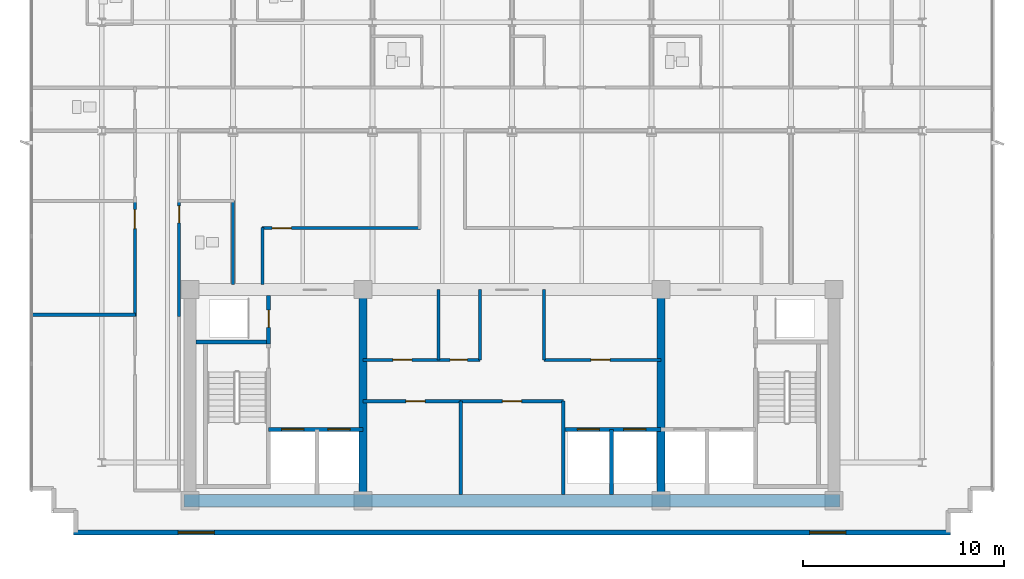
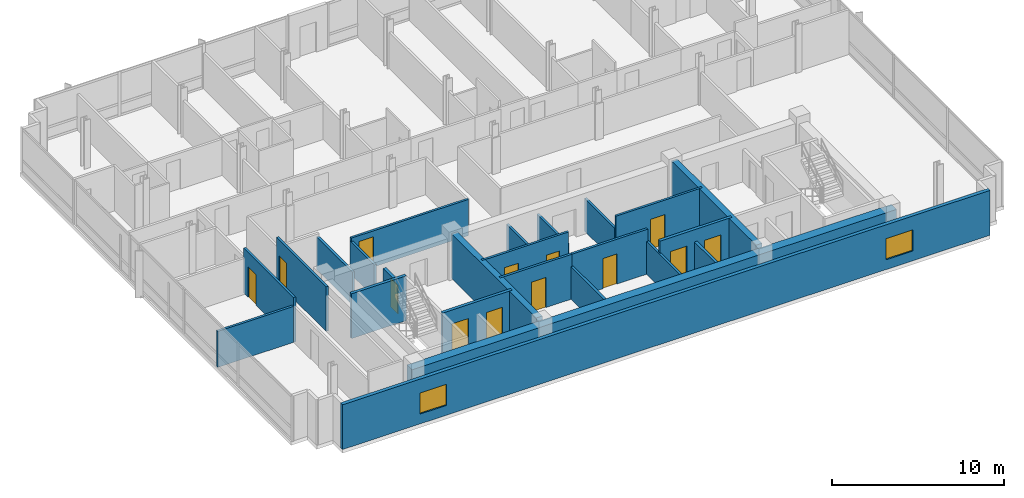
# One storey, part 8 of 14: 24 walls, 13 doors, 2 windows, 15 openings.
"""IFC4 building model written with IfcOpenShell, lengths in metres."""

from ifc_helpers import new_model, si_unit, direction, frame, frame_2d, origin, place, context, subcontext, project, spatial, rectangle, extrude, material, layer, layer_set, type_object, element, fill, save


model = new_model("IFC4")

# Units and contexts
model_context = context("Model", 3, precision=1e-05, world=origin(), true_north=direction((0.0, 1.0)))
body_context = subcontext(model_context, "Body", "Model", "MODEL_VIEW")
ifc_project = project(units=[si_unit("LENGTHUNIT", "METRE"), si_unit("AREAUNIT", "SQUARE_METRE"), si_unit("VOLUMEUNIT", "CUBIC_METRE"), si_unit("PLANEANGLEUNIT", "RADIAN"), si_unit("MASSUNIT", "GRAM", prefix="KILO")], contexts=[model_context])

# Site, building, storey
site_placement = place(None, origin())
site = spatial("IfcSite", under=ifc_project, at=site_placement, CompositionType="ELEMENT")
building_placement = place(site_placement, origin())
building = spatial("IfcBuilding", under=site, at=building_placement, Name="Solmavex Isthmus Hotel", CompositionType="ELEMENT")
storey_placement = place(building_placement, frame((0.0, 0.0, 255.75)))
storey = spatial("IfcBuildingStorey", under=building, at=storey_placement, Name="L69", CompositionType="ELEMENT", Elevation=255.75)

# Wall, openings, windows
ifc_material_1 = material(Name="Precast Concrete C40/50", Category="concrete")
ifc_layer_1 = layer(ifc_material_1, 0.25)
ifc_layer_set_1 = layer_set([ifc_layer_1], Name="Precast Concrete C40/50")
wall_type_1 = type_object("IfcWallType", Name="EW-TWR-250", PredefinedType="STANDARD", material=ifc_layer_set_1)
wall_1_placement = place(storey_placement, frame((-21.800048828125, -14.580078125, 0.0), z_axis=(0.0, 0.0, 1.0), x_axis=(1.0, 0.0, 0.0)))
wall_1 = element("IfcWall", 1, at=wall_1_placement, inside=storey, type_object=wall_type_1, Name="Tower Rear South Facade Wall L69", PredefinedType="STANDARD", context=body_context, shape_type="SweptSolid", body=[
    extrude(rectangle(XDim=43.60009765625, YDim=0.239990234375, at=frame_2d((21.800048828125, 0.0))), origin(), (0.0, 0.0, 1.0), 3.18994140625),
])
opening_1_placement = place(wall_1_placement, frame((5.2041015625, 0.0, 0.699951171875)))
opening_1 = element("IfcOpeningElement", 2, at=opening_1_placement, cuts=wall_1, Name="Opening WN-02", PredefinedType="OPENING", context=body_context, shape_type="SweptSolid", body=[
    extrude(rectangle(XDim=1.800048828125, YDim=1.5, at=frame_2d((0.89990234375, 0.75))), frame((0.0, 0.1298828125, 0.0), z_axis=(0.0, -1.0, 0.0), x_axis=(1.0, 0.0, 0.0)), (0.0, 0.0, 1.0), 0.260009765625),
])
opening_2_placement = place(wall_1_placement, frame((36.595947265625, 0.0, 0.699951171875)))
opening_2 = element("IfcOpeningElement", 3, at=opening_2_placement, cuts=wall_1, Name="Opening WN-02", PredefinedType="OPENING", context=body_context, shape_type="SweptSolid", body=[
    extrude(rectangle(XDim=1.800048828125, YDim=1.5, at=frame_2d((0.89990234375, 0.75))), frame((0.0, 0.1298828125, 0.0), z_axis=(0.0, -1.0, 0.0), x_axis=(1.0, 0.0, 0.0)), (0.0, 0.0, 1.0), 0.260009765625),
])
ifc_material_2 = material(Name="Clear low-E laminated glass", Category="glass")
window_type = type_object("IfcWindowType", Name="WIN-TWR-1800", PartitioningType="SINGLE_PANEL", PredefinedType="WINDOW", material=ifc_material_2)
window_1_placement = place(opening_1_placement, origin())
window_1 = element("IfcWindow", 4, at=window_1_placement, inside=storey, type_object=window_type, Name="South Facade Vision Window L69-S1", OverallHeight=1.5, OverallWidth=1.800048828125, PartitioningType="SINGLE_PANEL", PredefinedType="WINDOW", context=body_context, shape_type="SweptSolid", body=[
    extrude(rectangle(XDim=1.800048828125, YDim=1.5, at=frame_2d((0.89990234375, 0.75))), frame((0.0, 0.030029296875, 0.0), z_axis=(0.0, -1.0, 0.0), x_axis=(1.0, 0.0, 0.0)), (0.0, 0.0, 1.0), 0.06005859375),
])
fill(opening_1, window_1)
window_2_placement = place(opening_2_placement, origin())
window_2 = element("IfcWindow", 5, at=window_2_placement, inside=storey, type_object=window_type, Name="South Facade Vision Window L69-S2", OverallHeight=1.5, OverallWidth=1.800048828125, PartitioningType="SINGLE_PANEL", PredefinedType="WINDOW", context=body_context, shape_type="SweptSolid", body=[
    extrude(rectangle(XDim=1.800048828125, YDim=1.5, at=frame_2d((0.89990234375, 0.75))), frame((0.0, 0.030029296875, 0.0), z_axis=(0.0, -1.0, 0.0), x_axis=(1.0, 0.0, 0.0)), (0.0, 0.0, 1.0), 0.06005859375),
])
fill(opening_2, window_2)

# Wall, opening, door
ifc_material_3 = material(Name="Gypsum plasterboard lining", Category="gypsum")
ifc_layer_2 = layer(ifc_material_3, 0.159912109375)
ifc_layer_set_2 = layer_set([ifc_layer_2], Name="Gypsum plasterboard lining")
wall_type_2 = type_object("IfcWallType", Name="IW-COMP-160", PredefinedType="PARTITIONING", material=ifc_layer_set_2)
wall_2_placement = place(storey_placement, frame((-7.39990234375, -8.050048828125, 0.0), z_axis=(0.0, 0.0, 1.0), x_axis=(1.0, 0.0, 0.0)))
wall_2 = element("IfcWall", 6, at=wall_2_placement, inside=storey, type_object=wall_type_2, Name="Interior Partition Wall W-L69-REC-PLL-N", PredefinedType="PARTITIONING", context=body_context, shape_type="SweptSolid", body=[
    extrude(rectangle(XDim=4.849853515625, YDim=0.159912109375, at=frame_2d((2.4248046875, 0.0))), origin(), (0.0, 0.0, 1.0), 3.18994140625),
])
opening_3_placement = place(wall_2_placement, frame((2.125, 0.0, 0.0)))
opening_3 = element("IfcOpeningElement", 7, at=opening_3_placement, cuts=wall_2, Name="Opening ID-C095", PredefinedType="OPENING", context=body_context, shape_type="SweptSolid", body=[
    extrude(rectangle(XDim=0.949951171875, YDim=2.14990234375, at=frame_2d((0.47509765625, 1.074951171875))), frame((0.0, 0.08984375, 0.0), z_axis=(0.0, -1.0, 0.0), x_axis=(1.0, 0.0, 0.0)), (0.0, 0.0, 1.0), 0.179931640625),
])
ifc_material_4 = material(Name="Hardwood timber", Category="wood")
door_type_1 = type_object("IfcDoorType", Name="IDR-FD60-0950", OperationType="NOTDEFINED", PredefinedType="DOOR", material=ifc_material_4)
door_1_placement = place(opening_3_placement, origin())
door_1 = element("IfcDoor", 8, at=door_1_placement, inside=storey, type_object=door_type_1, Name="Linen Reserve Door L69", OperationType="SINGLE_SWING_LEFT", OverallHeight=2.14990234375, OverallWidth=0.949951171875, PredefinedType="DOOR", context=body_context, shape_type="SweptSolid", body=[
    extrude(rectangle(XDim=0.949951171875, YDim=2.14990234375, at=frame_2d((0.47509765625, 1.074951171875))), frame((0.0, 0.02490234375, 0.0), z_axis=(0.0, -1.0, 0.0), x_axis=(1.0, 0.0, 0.0)), (0.0, 0.0, 1.0), 0.050048828125),
])
fill(opening_3, door_1)

# Wall
wall_3_placement = place(storey_placement, frame((-2.550048828125, -12.699951171875, 0.0), z_axis=(0.0, 0.0, 1.0), x_axis=(0.0, 1.0, 0.0)))
element("IfcWall", 9, at=wall_3_placement, inside=storey, type_object=wall_type_2, Name="Interior Partition Wall W-L69-REC-PLL-E", PredefinedType="PARTITIONING", context=body_context, shape_type="SweptSolid", body=[
    extrude(rectangle(XDim=4.64990234375, YDim=0.159912109375, at=frame_2d((2.324951171875, 0.0))), origin(), (0.0, 0.0, 1.0), 2.324951171875),
])

# Wall, opening, door
wall_4_placement = place(storey_placement, frame((-2.550048828125, -8.050048828125, 0.0), z_axis=(0.0, 0.0, 1.0), x_axis=(1.0, 0.0, 0.0)))
wall_4 = element("IfcWall", 10, at=wall_4_placement, inside=storey, type_object=wall_type_2, Name="Interior Partition Wall W-L69-REC-PLM-N", PredefinedType="PARTITIONING", context=body_context, shape_type="SweptSolid", body=[
    extrude(rectangle(XDim=5.10009765625, YDim=0.159912109375, at=frame_2d((2.550048828125, 0.0))), origin(), (0.0, 0.0, 1.0), 3.18994140625),
])
opening_4_placement = place(wall_4_placement, frame((2.074951171875, 0.0, 0.0)))
opening_4 = element("IfcOpeningElement", 11, at=opening_4_placement, cuts=wall_4, Name="Opening ID-C095", PredefinedType="OPENING", context=body_context, shape_type="SweptSolid", body=[
    extrude(rectangle(XDim=0.949951171875, YDim=2.14990234375, at=frame_2d((0.47509765625, 1.074951171875))), frame((0.0, 0.08984375, 0.0), z_axis=(0.0, -1.0, 0.0), x_axis=(1.0, 0.0, 0.0)), (0.0, 0.0, 1.0), 0.179931640625),
])
door_2_placement = place(opening_4_placement, origin())
door_2 = element("IfcDoor", 12, at=door_2_placement, inside=storey, type_object=door_type_1, Name="Butler Store Door L69", OperationType="SINGLE_SWING_RIGHT", OverallHeight=2.14990234375, OverallWidth=0.949951171875, PredefinedType="DOOR", context=body_context, shape_type="SweptSolid", body=[
    extrude(rectangle(XDim=0.949951171875, YDim=2.14990234375, at=frame_2d((0.47509765625, 1.074951171875))), frame((0.0, 0.02490234375, 0.0), z_axis=(0.0, -1.0, 0.0), x_axis=(1.0, 0.0, 0.0)), (0.0, 0.0, 1.0), 0.050048828125),
])
fill(opening_4, door_2)

# Walls
wall_5_placement = place(storey_placement, frame((2.550048828125, -12.699951171875, 0.0), z_axis=(0.0, 0.0, 1.0), x_axis=(0.0, 1.0, 0.0)))
element("IfcWall", 13, at=wall_5_placement, inside=storey, type_object=wall_type_2, Name="Interior Partition Wall W-L69-REC-PLM-E", PredefinedType="PARTITIONING", context=body_context, shape_type="SweptSolid", body=[
    extrude(rectangle(XDim=4.64990234375, YDim=0.159912109375, at=frame_2d((2.324951171875, 0.0))), origin(), (0.0, 0.0, 1.0), 2.324951171875),
])
wall_6_placement = place(storey_placement, frame((-13.8720703125, 1.93994140625, 0.0), z_axis=(0.0, 0.0, 1.0), x_axis=(0.0, -1.0, 0.0)))
element("IfcWall", 14, at=wall_6_placement, inside=storey, type_object=wall_type_2, Name="Interior Partition Wall W-L69-P090", PredefinedType="PARTITIONING", context=body_context, shape_type="SweptSolid", body=[
    extrude(rectangle(XDim=4.179931640625, YDim=0.159912109375, at=frame_2d((2.08984375, 0.0))), origin(), (0.0, 0.0, 1.0), 2.324951171875),
])
wall_7_placement = place(storey_placement, frame((-18.7099609375, -3.75, 0.0), z_axis=(0.0, 0.0, 1.0), x_axis=(-1.0, 0.0, 0.0)))
element("IfcWall", 15, at=wall_7_placement, inside=storey, type_object=wall_type_2, Name="Interior Partition Wall W-L69-P094", PredefinedType="PARTITIONING", context=body_context, shape_type="SweptSolid", body=[
    extrude(rectangle(XDim=5.2099609375, YDim=0.159912109375, at=frame_2d((2.60498046875, 0.0))), origin(), (0.0, 0.0, 1.0), 2.5576171875),
])

# Wall, openings, doors
ifc_layer_3 = layer(ifc_material_3, 0.14990234375)
ifc_layer_set_3 = layer_set([ifc_layer_3], Name="Gypsum plasterboard lining")
wall_type_3 = type_object("IfcWallType", Name="IW-CORR-150", PredefinedType="PARTITIONING", material=ifc_layer_set_3)
wall_8_placement = place(storey_placement, frame((-7.39990234375, -6.0, 0.0), z_axis=(0.0, 0.0, 1.0), x_axis=(1.0, 0.0, 0.0)))
wall_8 = element("IfcWall", 16, at=wall_8_placement, inside=storey, type_object=wall_type_3, Name="Interior Partition Wall W-L69-BOH-WS", PredefinedType="PARTITIONING", context=body_context, shape_type="SweptSolid", body=[
    extrude(rectangle(XDim=5.7998046875, YDim=0.14990234375, at=frame_2d((2.89990234375, 0.0))), origin(), (0.0, 0.0, 1.0), 3.18994140625),
])
opening_5_placement = place(wall_8_placement, frame((1.47509765625, 0.0, 0.0)))
opening_5 = element("IfcOpeningElement", 17, at=opening_5_placement, cuts=wall_8, Name="Opening ID-C095", PredefinedType="OPENING", context=body_context, shape_type="SweptSolid", body=[
    extrude(rectangle(XDim=0.949951171875, YDim=2.14990234375, at=frame_2d((0.47509765625, 1.074951171875))), frame((0.0, 0.0849609375, 0.0), z_axis=(0.0, -1.0, 0.0), x_axis=(1.0, 0.0, 0.0)), (0.0, 0.0, 1.0), 0.169921875),
])
opening_6_placement = place(wall_8_placement, frame((4.324951171875, 0.0, 0.0)))
opening_6 = element("IfcOpeningElement", 18, at=opening_6_placement, cuts=wall_8, Name="Opening ID-R085", PredefinedType="OPENING", context=body_context, shape_type="SweptSolid", body=[
    extrude(rectangle(XDim=0.85009765625, YDim=2.050048828125, at=frame_2d((0.425048828125, 1.02490234375))), frame((0.0, 0.0849609375, 0.0), z_axis=(0.0, -1.0, 0.0), x_axis=(1.0, 0.0, 0.0)), (0.0, 0.0, 1.0), 0.169921875),
])
ifc_material_5 = material(Name="Steel ASTM A500 Grade C", Category="steel")
door_type_2 = type_object("IfcDoorType", Name="IDR-FD60-0850", OperationType="NOTDEFINED", PredefinedType="DOOR", material=ifc_material_5)
door_3_placement = place(opening_6_placement, frame((0.85009765625, 0.0, 0.0), z_axis=(0.0, 0.0, 1.0), x_axis=(-1.0, 0.0, 0.0)))
door_3 = element("IfcDoor", 19, at=door_3_placement, inside=storey, type_object=door_type_2, Name="Cleaner Closet Door L69", OperationType="SINGLE_SWING_RIGHT", OverallHeight=2.050048828125, OverallWidth=0.85009765625, PredefinedType="DOOR", context=body_context, shape_type="SweptSolid", body=[
    extrude(rectangle(XDim=0.85009765625, YDim=2.050048828125, at=frame_2d((0.425048828125, 1.02490234375))), frame((0.0, 0.02490234375, 0.0), z_axis=(0.0, -1.0, 0.0), x_axis=(1.0, 0.0, 0.0)), (0.0, 0.0, 1.0), 0.050048828125),
])
fill(opening_6, door_3)
door_4_placement = place(opening_5_placement, frame((0.949951171875, 0.0, 0.0), z_axis=(0.0, 0.0, 1.0), x_axis=(-1.0, 0.0, 0.0)))
door_4 = element("IfcDoor", 20, at=door_4_placement, inside=storey, type_object=door_type_1, Name="Housekeeping Store Door L69", OperationType="SINGLE_SWING_LEFT", OverallHeight=2.14990234375, OverallWidth=0.949951171875, PredefinedType="DOOR", context=body_context, shape_type="SweptSolid", body=[
    extrude(rectangle(XDim=0.949951171875, YDim=2.14990234375, at=frame_2d((0.47509765625, 1.074951171875))), frame((0.0, 0.02490234375, 0.0), z_axis=(0.0, -1.0, 0.0), x_axis=(1.0, 0.0, 0.0)), (0.0, 0.0, 1.0), 0.050048828125),
])
fill(opening_5, door_4)

# Wall
wall_9_placement = place(storey_placement, frame((-1.60009765625, -6.0, 0.0), z_axis=(0.0, 0.0, 1.0), x_axis=(0.0, 1.0, 0.0)))
element("IfcWall", 21, at=wall_9_placement, inside=storey, type_object=wall_type_3, Name="Interior Partition Wall W-L69-BOH-WE", PredefinedType="PARTITIONING", context=body_context, shape_type="SweptSolid", body=[
    extrude(rectangle(XDim=3.5, YDim=0.14990234375, at=frame_2d((1.75, 0.0))), origin(), (0.0, 0.0, 1.0), 2.324951171875),
])

# Wall, opening, door
wall_10_placement = place(storey_placement, frame((1.60009765625, -6.0, 0.0), z_axis=(0.0, 0.0, 1.0), x_axis=(1.0, 0.0, 0.0)))
wall_10 = element("IfcWall", 22, at=wall_10_placement, inside=storey, type_object=wall_type_3, Name="Interior Partition Wall W-L69-BOH-ES", PredefinedType="PARTITIONING", context=body_context, shape_type="SweptSolid", body=[
    extrude(rectangle(XDim=5.7998046875, YDim=0.14990234375, at=frame_2d((2.89990234375, 0.0))), origin(), (0.0, 0.0, 1.0), 3.18994140625),
])
opening_7_placement = place(wall_10_placement, frame((2.324951171875, 0.0, 0.0)))
opening_7 = element("IfcOpeningElement", 23, at=opening_7_placement, cuts=wall_10, Name="Opening ID-C095", PredefinedType="OPENING", context=body_context, shape_type="SweptSolid", body=[
    extrude(rectangle(XDim=0.949951171875, YDim=2.14990234375, at=frame_2d((0.47509765625, 1.074951171875))), frame((0.0, 0.0849609375, 0.0), z_axis=(0.0, -1.0, 0.0), x_axis=(1.0, 0.0, 0.0)), (0.0, 0.0, 1.0), 0.169921875),
])
door_5_placement = place(opening_7_placement, frame((0.949951171875, 0.0, 0.0), z_axis=(0.0, 0.0, 1.0), x_axis=(-1.0, 0.0, 0.0)))
door_5 = element("IfcDoor", 24, at=door_5_placement, inside=storey, type_object=door_type_1, Name="Butler Pantry Door L69", OperationType="SINGLE_SWING_RIGHT", OverallHeight=2.14990234375, OverallWidth=0.949951171875, PredefinedType="DOOR", context=body_context, shape_type="SweptSolid", body=[
    extrude(rectangle(XDim=0.949951171875, YDim=2.14990234375, at=frame_2d((0.47509765625, 1.074951171875))), frame((0.0, 0.02490234375, 0.0), z_axis=(0.0, -1.0, 0.0), x_axis=(1.0, 0.0, 0.0)), (0.0, 0.0, 1.0), 0.050048828125),
])
fill(opening_7, door_5)

# Wall
wall_11_placement = place(storey_placement, frame((1.60009765625, -6.0, 0.0), z_axis=(0.0, 0.0, 1.0), x_axis=(0.0, 1.0, 0.0)))
element("IfcWall", 25, at=wall_11_placement, inside=storey, type_object=wall_type_3, Name="Interior Partition Wall W-L69-BOH-EW", PredefinedType="PARTITIONING", context=body_context, shape_type="SweptSolid", body=[
    extrude(rectangle(XDim=3.5, YDim=0.14990234375, at=frame_2d((1.75, 0.0))), origin(), (0.0, 0.0, 1.0), 2.324951171875),
])

# Wall, opening, door
wall_12_placement = place(storey_placement, frame((-16.550048828125, 1.98193359375, 0.0), z_axis=(0.0, 0.0, 1.0), x_axis=(0.0, -1.0, 0.0)))
wall_12 = element("IfcWall", 26, at=wall_12_placement, inside=storey, type_object=wall_type_3, Name="Interior Partition Wall W-L69-P012", PredefinedType="PARTITIONING", context=body_context, shape_type="SweptSolid", body=[
    extrude(rectangle(XDim=5.81396484375, YDim=0.14990234375, at=frame_2d((2.906982421875, 0.0))), origin(), (0.0, 0.0, 1.0), 3.18994140625),
])
opening_8_placement = place(wall_12_placement, frame((0.314453125, 0.0, 0.0)))
opening_8 = element("IfcOpeningElement", 27, at=opening_8_placement, cuts=wall_12, Name="Opening ID-R085", PredefinedType="OPENING", context=body_context, shape_type="SweptSolid", body=[
    extrude(rectangle(XDim=0.85009765625, YDim=2.050048828125, at=frame_2d((0.425048828125, 1.02490234375))), frame((0.0, 0.0849609375, 0.0), z_axis=(0.0, -1.0, 0.0), x_axis=(1.0, 0.0, 0.0)), (0.0, 0.0, 1.0), 0.169921875),
])
door_6_placement = place(opening_8_placement, frame((0.85009765625, 0.0, 0.0), z_axis=(0.0, 0.0, 1.0), x_axis=(-1.0, 0.0, 0.0)))
door_6 = element("IfcDoor", 28, at=door_6_placement, inside=storey, type_object=door_type_2, Name="Public Restroom WC Door L69-21", OperationType="SINGLE_SWING_LEFT", OverallHeight=2.050048828125, OverallWidth=0.85009765625, PredefinedType="DOOR", context=body_context, shape_type="SweptSolid", body=[
    extrude(rectangle(XDim=0.85009765625, YDim=2.050048828125, at=frame_2d((0.425048828125, 1.02490234375))), frame((0.0, 0.02490234375, 0.0), z_axis=(0.0, -1.0, 0.0), x_axis=(1.0, 0.0, 0.0)), (0.0, 0.0, 1.0), 0.050048828125),
])
fill(opening_8, door_6)

wall_13_placement = place(storey_placement, frame((-18.75, -3.83203125, 0.0), z_axis=(0.0, 0.0, 1.0), x_axis=(0.0, 1.0, 0.0)))
wall_13 = element("IfcWall", 29, at=wall_13_placement, inside=storey, type_object=wall_type_3, Name="Interior Partition Wall W-L69-P015", PredefinedType="PARTITIONING", context=body_context, shape_type="SweptSolid", body=[
    extrude(rectangle(XDim=5.81396484375, YDim=0.14990234375, at=frame_2d((2.906982421875, 0.0))), origin(), (0.0, 0.0, 1.0), 3.18994140625),
])
opening_9_placement = place(wall_13_placement, frame((4.358642578125, 0.0, 0.0)))
opening_9 = element("IfcOpeningElement", 30, at=opening_9_placement, cuts=wall_13, Name="Opening ID-C095", PredefinedType="OPENING", context=body_context, shape_type="SweptSolid", body=[
    extrude(rectangle(XDim=0.949951171875, YDim=2.14990234375, at=frame_2d((0.47509765625, 1.074951171875))), frame((0.0, 0.0849609375, 0.0), z_axis=(0.0, -1.0, 0.0), x_axis=(1.0, 0.0, 0.0)), (0.0, 0.0, 1.0), 0.169921875),
])
door_7_placement = place(opening_9_placement, origin())
door_7 = element("IfcDoor", 31, at=door_7_placement, inside=storey, type_object=door_type_1, Name="Finishing Kitchen Door L69-24", OperationType="SINGLE_SWING_RIGHT", OverallHeight=2.14990234375, OverallWidth=0.949951171875, PredefinedType="DOOR", context=body_context, shape_type="SweptSolid", body=[
    extrude(rectangle(XDim=0.949951171875, YDim=2.14990234375, at=frame_2d((0.47509765625, 1.074951171875))), frame((0.0, 0.02490234375, 0.0), z_axis=(0.0, -1.0, 0.0), x_axis=(1.0, 0.0, 0.0)), (0.0, 0.0, 1.0), 0.050048828125),
])
fill(opening_9, door_7)

# Wall
wall_14_placement = place(storey_placement, frame((-12.39990234375, -2.239990234375, 0.0), z_axis=(0.0, 0.0, 1.0), x_axis=(0.0, 1.0, 0.0)))
element("IfcWall", 32, at=wall_14_placement, inside=storey, type_object=wall_type_3, Name="Interior Partition Wall W-L69-P016", PredefinedType="PARTITIONING", context=body_context, shape_type="SweptSolid", body=[
    extrude(rectangle(XDim=2.830078125, YDim=0.14990234375, at=frame_2d((1.4150390625, 0.0))), origin(), (0.0, 0.0, 1.0), 2.324951171875),
])

# Wall, opening, door
wall_15_placement = place(storey_placement, frame((-12.43994140625, 0.550048828125, 0.0), z_axis=(0.0, 0.0, 1.0), x_axis=(1.0, 0.0, 0.0)))
wall_15 = element("IfcWall", 33, at=wall_15_placement, inside=storey, type_object=wall_type_3, Name="Interior Partition Wall W-L69-P017", PredefinedType="PARTITIONING", context=body_context, shape_type="SweptSolid", body=[
    extrude(rectangle(XDim=7.891845703125, YDim=0.14990234375, at=frame_2d((3.94580078125, 0.0))), origin(), (0.0, 0.0, 1.0), 2.572265625),
])
opening_10_placement = place(wall_15_placement, frame((0.51806640625, 0.0, 0.0)))
opening_10 = element("IfcOpeningElement", 34, at=opening_10_placement, cuts=wall_15, Name="Opening ID-C095", PredefinedType="OPENING", context=body_context, shape_type="SweptSolid", body=[
    extrude(rectangle(XDim=0.949951171875, YDim=2.14990234375, at=frame_2d((0.47509765625, 1.074951171875))), frame((0.0, 0.0849609375, 0.0), z_axis=(0.0, -1.0, 0.0), x_axis=(1.0, 0.0, 0.0)), (0.0, 0.0, 1.0), 0.169921875),
])
door_8_placement = place(opening_10_placement, origin())
door_8 = element("IfcDoor", 35, at=door_8_placement, inside=storey, type_object=door_type_1, Name="Reading Library Door L69-25", OperationType="SINGLE_SWING_LEFT", OverallHeight=2.14990234375, OverallWidth=0.949951171875, PredefinedType="DOOR", context=body_context, shape_type="SweptSolid", body=[
    extrude(rectangle(XDim=0.949951171875, YDim=2.14990234375, at=frame_2d((0.47509765625, 1.074951171875))), frame((0.0, 0.02490234375, 0.0), z_axis=(0.0, -1.0, 0.0), x_axis=(1.0, 0.0, 0.0)), (0.0, 0.0, 1.0), 0.050048828125),
])
fill(opening_10, door_8)

# Walls
ifc_layer_4 = layer(ifc_material_3, 0.1201171875)
ifc_layer_set_4 = layer_set([ifc_layer_4], Name="Gypsum plasterboard lining")
wall_type_4 = type_object("IfcWallType", Name="IW-PART-120", PredefinedType="PARTITIONING", material=ifc_layer_set_4)
wall_16_placement = place(storey_placement, frame((-3.64990234375, -6.0, 0.0), z_axis=(0.0, 0.0, 1.0), x_axis=(0.0, 1.0, 0.0)))
element("IfcWall", 36, at=wall_16_placement, inside=storey, type_object=wall_type_4, Name="Interior Partition Wall W-L69-BOH-WM1", PredefinedType="PARTITIONING", context=body_context, shape_type="SweptSolid", body=[
    extrude(rectangle(XDim=3.5, YDim=0.14990234375, at=frame_2d((1.75, 0.0))), origin(), (0.0, 0.0, 1.0), 2.324951171875),
])
ifc_material_6 = material(Name="Concrete C40/50", Category="concrete")
ifc_layer_5 = layer(ifc_material_6, 0.179931640625)
ifc_layer_set_5 = layer_set([ifc_layer_5], Name="Concrete C40/50")
wall_type_5 = type_object("IfcWallType", Name="IW-SHAFT-180", PredefinedType="PARTITIONING", material=ifc_layer_set_5)
wall_17_placement = place(storey_placement, frame((4.949951171875, -12.699951171875, 0.0), z_axis=(0.0, 0.0, 1.0), x_axis=(0.0, 1.0, 0.0)))
element("IfcWall", 37, at=wall_17_placement, inside=storey, type_object=wall_type_5, Name="Interior Partition Wall W-L69-SH-PLH-M", PredefinedType="PARTITIONING", context=body_context, shape_type="SweptSolid", body=[
    extrude(rectangle(XDim=3.25, YDim=0.179931640625, at=frame_2d((1.625, 0.0))), origin(), (0.0, 0.0, 1.0), 2.324951171875),
])

# Wall, opening, door
ifc_layer_6 = layer(ifc_material_6, 0.199951171875)
ifc_layer_set_6 = layer_set([ifc_layer_6], Name="Concrete C40/50")
wall_type_6 = type_object("IfcWallType", Name="IW-SHAFT-200", PredefinedType="PARTITIONING", material=ifc_layer_set_6)
wall_18_placement = place(storey_placement, frame((-12.10009765625, -5.199951171875, 0.0), z_axis=(0.0, 0.0, 1.0), x_axis=(0.0, 1.0, 0.0)))
wall_18 = element("IfcWall", 38, at=wall_18_placement, inside=storey, type_object=wall_type_6, Name="Interior Partition Wall W-L69-RSW-E", PredefinedType="PARTITIONING", context=body_context, shape_type="SweptSolid", body=[
    extrude(rectangle(XDim=2.39990234375, YDim=0.199951171875, at=frame_2d((1.199951171875, 0.0))), origin(), (0.0, 0.0, 1.0), 2.324951171875),
])
opening_11_placement = place(wall_18_placement, frame((0.824951171875, 0.0, 0.0)))
opening_11 = element("IfcOpeningElement", 39, at=opening_11_placement, cuts=wall_18, Name="Opening ID-R085", PredefinedType="OPENING", context=body_context, shape_type="SweptSolid", body=[
    extrude(rectangle(XDim=0.85009765625, YDim=2.050048828125, at=frame_2d((0.425048828125, 1.02490234375))), frame((0.0, 0.10986328125, 0.0), z_axis=(0.0, -1.0, 0.0), x_axis=(1.0, 0.0, 0.0)), (0.0, 0.0, 1.0), 0.219970703125),
])
door_9_placement = place(opening_11_placement, origin())
door_9 = element("IfcDoor", 40, at=door_9_placement, inside=storey, type_object=door_type_2, Name="Electrical Riser Door L69", OperationType="SINGLE_SWING_RIGHT", OverallHeight=2.050048828125, OverallWidth=0.85009765625, PredefinedType="DOOR", context=body_context, shape_type="SweptSolid", body=[
    extrude(rectangle(XDim=0.85009765625, YDim=2.050048828125, at=frame_2d((0.425048828125, 1.02490234375))), frame((0.0, 0.02490234375, 0.0), z_axis=(0.0, -1.0, 0.0), x_axis=(1.0, 0.0, 0.0)), (0.0, 0.0, 1.0), 0.050048828125),
])
fill(opening_11, door_9)

# Wall, openings, doors
wall_19_placement = place(storey_placement, frame((-12.10009765625, -9.449951171875, 0.0), z_axis=(0.0, 0.0, 1.0), x_axis=(1.0, 0.0, 0.0)))
wall_19 = element("IfcWall", 41, at=wall_19_placement, inside=storey, type_object=wall_type_6, Name="Interior Partition Wall W-L69-FFLW-S", PredefinedType="PARTITIONING", context=body_context, shape_type="SweptSolid", body=[
    extrude(rectangle(XDim=4.7001953125, YDim=0.199951171875, at=frame_2d((2.35009765625, 0.0))), origin(), (0.0, 0.0, 1.0), 3.18994140625),
])
opening_12_placement = place(wall_19_placement, frame((0.64990234375, 0.0, 0.0)))
opening_12 = element("IfcOpeningElement", 42, at=opening_12_placement, cuts=wall_19, Name="Opening LD-FF", PredefinedType="OPENING", context=body_context, shape_type="SweptSolid", body=[
    extrude(rectangle(XDim=1.10009765625, YDim=2.199951171875, at=frame_2d((0.550048828125, 1.10009765625))), frame((0.0, 0.10986328125, 0.0), z_axis=(0.0, -1.0, 0.0), x_axis=(1.0, 0.0, 0.0)), (0.0, 0.0, 1.0), 0.219970703125),
])
opening_13_placement = place(wall_19_placement, frame((2.949951171875, 0.0, 0.0)))
opening_13 = element("IfcOpeningElement", 43, at=opening_13_placement, cuts=wall_19, Name="Opening LD-SV", PredefinedType="OPENING", context=body_context, shape_type="SweptSolid", body=[
    extrude(rectangle(XDim=1.10009765625, YDim=2.199951171875, at=frame_2d((0.550048828125, 1.10009765625))), frame((0.0, 0.10986328125, 0.0), z_axis=(0.0, -1.0, 0.0), x_axis=(1.0, 0.0, 0.0)), (0.0, 0.0, 1.0), 0.219970703125),
])
ifc_material_7 = material(Name="Stainless steel 316", Category="steel")
door_type_3 = type_object("IfcDoorType", Name="LDR-FF-1100", OperationType="NOTDEFINED", PredefinedType="DOOR", material=ifc_material_7)
door_10_placement = place(opening_12_placement, origin())
door_10 = element("IfcDoor", 44, at=door_10_placement, inside=storey, type_object=door_type_3, Name="Lift Landing Door FFL-1 L69", OperationType="SLIDING_TO_LEFT", OverallHeight=2.199951171875, OverallWidth=1.10009765625, PredefinedType="DOOR", context=body_context, shape_type="SweptSolid", body=[
    extrude(rectangle(XDim=1.10009765625, YDim=2.199951171875, at=frame_2d((0.550048828125, 1.10009765625))), frame((0.0, 0.02490234375, 0.0), z_axis=(0.0, -1.0, 0.0), x_axis=(1.0, 0.0, 0.0)), (0.0, 0.0, 1.0), 0.050048828125),
])
fill(opening_12, door_10)
door_type_4 = type_object("IfcDoorType", Name="LDR-SV-1100", OperationType="NOTDEFINED", PredefinedType="DOOR", material=ifc_material_7)
door_11_placement = place(opening_13_placement, origin())
door_11 = element("IfcDoor", 45, at=door_11_placement, inside=storey, type_object=door_type_4, Name="Lift Landing Door SVL-1 L69", OperationType="SLIDING_TO_RIGHT", OverallHeight=2.199951171875, OverallWidth=1.10009765625, PredefinedType="DOOR", context=body_context, shape_type="SweptSolid", body=[
    extrude(rectangle(XDim=1.10009765625, YDim=2.199951171875, at=frame_2d((0.550048828125, 1.10009765625))), frame((0.0, 0.02490234375, 0.0), z_axis=(0.0, -1.0, 0.0), x_axis=(1.0, 0.0, 0.0)), (0.0, 0.0, 1.0), 0.050048828125),
])
fill(opening_13, door_11)

wall_20_placement = place(storey_placement, frame((2.550048828125, -9.449951171875, 0.0), z_axis=(0.0, 0.0, 1.0), x_axis=(1.0, 0.0, 0.0)))
wall_20 = element("IfcWall", 46, at=wall_20_placement, inside=storey, type_object=wall_type_6, Name="Interior Partition Wall W-L69-SH-PLH", PredefinedType="PARTITIONING", context=body_context, shape_type="SweptSolid", body=[
    extrude(rectangle(XDim=4.849853515625, YDim=0.199951171875, at=frame_2d((2.4248046875, 0.0))), origin(), (0.0, 0.0, 1.0), 3.18994140625),
])
opening_14_placement = place(wall_20_placement, frame((0.699951171875, 0.0, 0.0)))
opening_14 = element("IfcOpeningElement", 47, at=opening_14_placement, cuts=wall_20, Name="Opening LD-PL", PredefinedType="OPENING", context=body_context, shape_type="SweptSolid", body=[
    extrude(rectangle(XDim=1.10009765625, YDim=2.199951171875, at=frame_2d((0.550048828125, 1.10009765625))), frame((0.0, 0.10986328125, 0.0), z_axis=(0.0, -1.0, 0.0), x_axis=(1.0, 0.0, 0.0)), (0.0, 0.0, 1.0), 0.219970703125),
])
opening_15_placement = place(wall_20_placement, frame((3.0, 0.0, 0.0)))
opening_15 = element("IfcOpeningElement", 48, at=opening_15_placement, cuts=wall_20, Name="Opening LD-PL", PredefinedType="OPENING", context=body_context, shape_type="SweptSolid", body=[
    extrude(rectangle(XDim=1.10009765625, YDim=2.199951171875, at=frame_2d((0.550048828125, 1.10009765625))), frame((0.0, 0.10986328125, 0.0), z_axis=(0.0, -1.0, 0.0), x_axis=(1.0, 0.0, 0.0)), (0.0, 0.0, 1.0), 0.219970703125),
])
door_type_5 = type_object("IfcDoorType", Name="LDR-PL-1100", OperationType="NOTDEFINED", PredefinedType="DOOR", material=ifc_material_7)
door_12_placement = place(opening_14_placement, origin())
door_12 = element("IfcDoor", 49, at=door_12_placement, inside=storey, type_object=door_type_5, Name="Lift Landing Door PLH1 L69", OperationType="SLIDING_TO_LEFT", OverallHeight=2.199951171875, OverallWidth=1.10009765625, PredefinedType="DOOR", context=body_context, shape_type="SweptSolid", body=[
    extrude(rectangle(XDim=1.10009765625, YDim=2.199951171875, at=frame_2d((0.550048828125, 1.10009765625))), frame((0.0, 0.02490234375, 0.0), z_axis=(0.0, -1.0, 0.0), x_axis=(1.0, 0.0, 0.0)), (0.0, 0.0, 1.0), 0.050048828125),
])
fill(opening_14, door_12)
door_13_placement = place(opening_15_placement, origin())
door_13 = element("IfcDoor", 50, at=door_13_placement, inside=storey, type_object=door_type_5, Name="Lift Landing Door PLH2 L69", OperationType="SLIDING_TO_LEFT", OverallHeight=2.199951171875, OverallWidth=1.10009765625, PredefinedType="DOOR", context=body_context, shape_type="SweptSolid", body=[
    extrude(rectangle(XDim=1.10009765625, YDim=2.199951171875, at=frame_2d((0.550048828125, 1.10009765625))), frame((0.0, 0.02490234375, 0.0), z_axis=(0.0, -1.0, 0.0), x_axis=(1.0, 0.0, 0.0)), (0.0, 0.0, 1.0), 0.050048828125),
])
fill(opening_15, door_13)

# Walls
ifc_material_8 = material(Name="Concrete C50/60", Category="concrete")
ifc_layer_7 = layer(ifc_material_8, 0.39990234375)
ifc_layer_set_7 = layer_set([ifc_layer_7], Name="Concrete C50/60")
wall_type_7 = type_object("IfcWallType", Name="WALL-CW-400H", PredefinedType="SHEAR", material=ifc_layer_set_7)
for number, where, z_axis, x_axis, name in (
    (51, (-7.39990234375, -12.699951171875, 0.0), (0.0, 0.0, 1.0), (0.0, 1.0, 0.0), "Core Cross Shear Wall C1 L69"),
    (52, (7.39990234375, -12.699951171875, 0.0), (0.0, 0.0, 1.0), (0.0, 1.0, 0.0), "Core Cross Shear Wall C2 L69"),
):
    element("IfcWall", number, at=place(storey_placement, frame(where, z_axis=z_axis, x_axis=x_axis)), inside=storey, type_object=wall_type_7, Name=name, PredefinedType="SHEAR", context=body_context, shape_type="SweptSolid", body=[
        extrude(rectangle(XDim=9.89990234375, YDim=0.39990234375, at=frame_2d((4.949951171875, 0.0))), origin(), (0.0, 0.0, 1.0), 3.18994140625),
    ])
ifc_layer_8 = layer(ifc_material_8, 0.60009765625)
ifc_layer_set_8 = layer_set([ifc_layer_8], Name="Concrete C50/60")
wall_type_8 = type_object("IfcWallType", Name="WALL-CW-600", PredefinedType="SHEAR", material=ifc_layer_set_8)
wall_21_placement = place(storey_placement, frame((-16.300048828125, -13.0, 0.0), z_axis=(0.0, 0.0, 1.0), x_axis=(1.0, 0.0, 0.0)))
element("IfcWall", 53, at=wall_21_placement, inside=storey, type_object=wall_type_8, Name="Core Shear Wall South L69", PredefinedType="SHEAR", context=body_context, shape_type="SweptSolid", body=[
    extrude(rectangle(XDim=32.60009765625, YDim=0.60009765625, at=frame_2d((16.300048828125, 0.0))), origin(), (0.0, 0.0, 1.0), 2.909912109375),
])
ifc_layer_9 = layer(ifc_material_6, 0.199951171875)
ifc_layer_set_9 = layer_set([ifc_layer_9], Name="Concrete C40/50")
wall_type_9 = type_object("IfcWallType", Name="WALL-SW-200", PredefinedType="SOLIDWALL", material=ifc_layer_set_9)
wall_22_placement = place(storey_placement, frame((-15.699951171875, -5.10009765625, 0.0), z_axis=(0.0, 0.0, 1.0), x_axis=(1.0, 0.0, 0.0)))
element("IfcWall", 54, at=wall_22_placement, inside=storey, type_object=wall_type_9, Name="Stairwell Structural Wall SW-L69-ST1-N", PredefinedType="SOLIDWALL", context=body_context, shape_type="SweptSolid", body=[
    extrude(rectangle(XDim=3.699951171875, YDim=0.199951171875, at=frame_2d((1.85009765625, 0.0))), origin(), (0.0, 0.0, 1.0), 3.18994140625),
])

save(model, "model.ifc")
